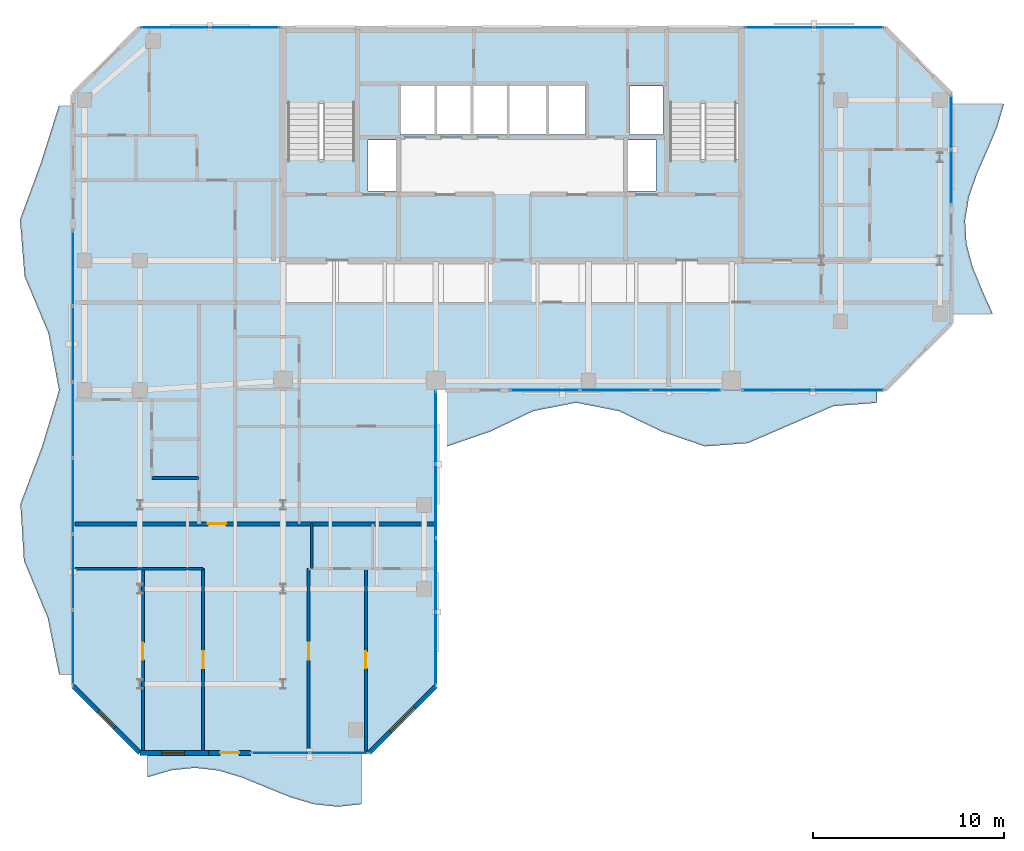
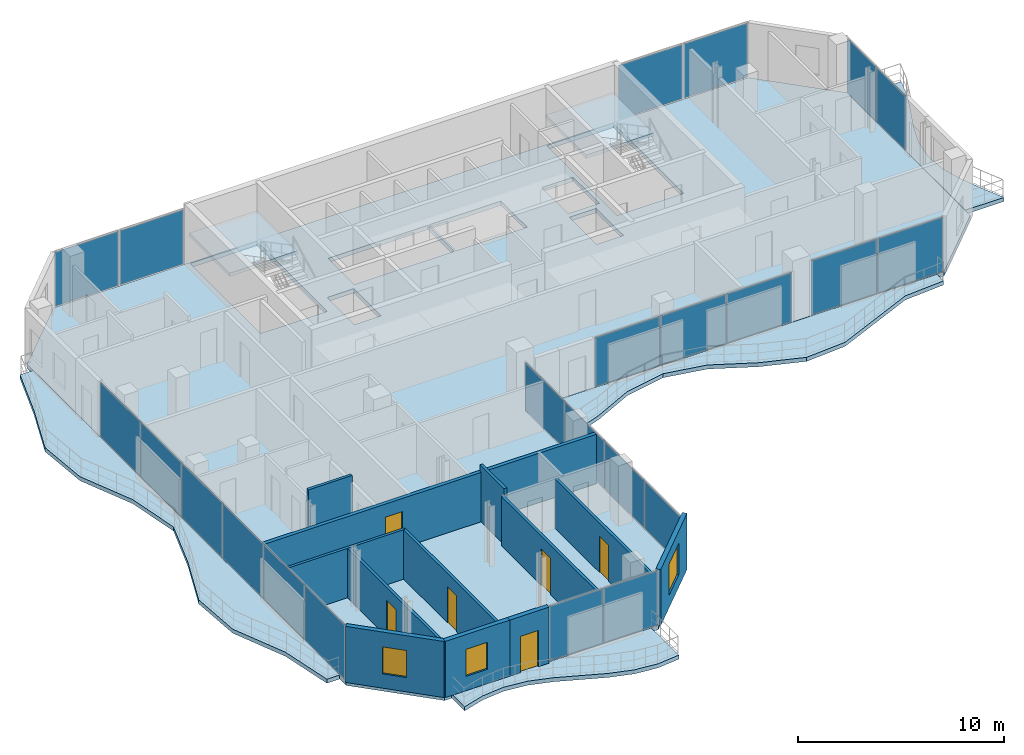
# One storey, part 17 of 23: 23 plates, 12 walls, 7 slabs, 6 doors, 3 windows, 9 openings, 10 elements without a shape of their own.
"""IFC4 building model written with IfcOpenShell, lengths in metres."""

from ifc_helpers import new_model, si_unit, direction, frame, frame_2d, origin, origin_2d, place, context, subcontext, project, spatial, polyline, rectangle, outline, extrude, material, layer, layer_set, type_object, element, fill, aggregate, save


model = new_model("IFC4")

# Units and contexts
model_context = context("Model", 3, precision=1e-05, world=origin(), true_north=direction((0.0, 1.0)))
body_context = subcontext(model_context, "Body", "Model", "MODEL_VIEW")
ifc_project = project(units=[si_unit("LENGTHUNIT", "METRE"), si_unit("AREAUNIT", "SQUARE_METRE"), si_unit("VOLUMEUNIT", "CUBIC_METRE"), si_unit("PLANEANGLEUNIT", "RADIAN"), si_unit("MASSUNIT", "GRAM", prefix="KILO")], contexts=[model_context])

# Site, building, storey
site_placement = place(None, origin())
site = spatial("IfcSite", under=ifc_project, at=site_placement, CompositionType="ELEMENT")
building_placement = place(site_placement, origin())
building = spatial("IfcBuilding", under=site, at=building_placement, Name="Catumbela Crestline Tower", CompositionType="ELEMENT")
storey_placement = place(building_placement, frame((0.0, 0.0, 165.0)))
storey = spatial("IfcBuildingStorey", under=building, at=storey_placement, Name="L42", CompositionType="ELEMENT", Elevation=165.0)

# Curtain wall, plates
ifc_material_1 = material(Name="Aluminium alloy AW-6060-T66", Category="aluminium")
ifc_layer_1 = layer(ifc_material_1, 0.18, Name="Aluminium alloy AW-6060-T66")
ifc_layer_set_1 = layer_set([ifc_layer_1], Name="Aluminium alloy AW-6060-T66")
curtain_wall_type = type_object("IfcCurtainWallType", Name="CWU-Z3", PredefinedType="USERDEFINED", material=ifc_layer_set_1)
curtain_wall_1_placement = place(storey_placement, origin())
curtain_wall_1 = element("IfcCurtainWall", 1, at=curtain_wall_1_placement, inside=storey, type_object=curtain_wall_type, Name="L42 Unitised Curtain Wall CW-L42-E0S2", ObjectType="UNITISED", PredefinedType="USERDEFINED")
ifc_material_2 = material(Name="Low-E laminated solar-control double glazing", Category="glass")
ifc_layer_2 = layer(ifc_material_2, 0.036, Name="Low-E laminated solar-control double glazing")
ifc_layer_set_2 = layer_set([ifc_layer_2], Name="Low-E laminated solar-control double glazing")
plate_type = type_object("IfcPlateType", Name="PNL-GLZ-Z3", PredefinedType="CURTAIN_PANEL", material=ifc_layer_set_2)
plate_1_placement = place(storey_placement, frame((15.8662, 5.0, 0.06), z_axis=(0.0, 0.0, 1.0), x_axis=(1.0, 0.0, 0.0)))
plate_1 = element("IfcPlate", 2, at=plate_1_placement, type_object=plate_type, Name="CWU-Z3 panel 1.1", PredefinedType="CURTAIN_PANEL", context=body_context, shape_type="SweptSolid", body=[
    extrude(rectangle(XDim=3.0025, YDim=0.034, at=origin_2d()), origin(), (0.0, 0.0, 1.0), 3.21),
])
plate_2_placement = place(storey_placement, frame((18.9338, 5.0, 0.06), z_axis=(0.0, 0.0, 1.0), x_axis=(1.0, 0.0, 0.0)))
plate_2 = element("IfcPlate", 3, at=plate_2_placement, type_object=plate_type, Name="CWU-Z3 panel 2.1", PredefinedType="CURTAIN_PANEL", context=body_context, shape_type="SweptSolid", body=[
    extrude(rectangle(XDim=3.0025, YDim=0.034, at=origin_2d()), origin(), (0.0, 0.0, 1.0), 3.21),
])
aggregate(curtain_wall_1, [plate_1, plate_2])

curtain_wall_2_placement = place(storey_placement, origin())
curtain_wall_2 = element("IfcCurtainWall", 4, at=curtain_wall_2_placement, inside=storey, type_object=curtain_wall_type, Name="L42 Unitised Curtain Wall CW-L42-E2S1", ObjectType="UNITISED", PredefinedType="USERDEFINED")
plate_3_placement = place(storey_placement, frame((24.0, 10.4538, 0.06), z_axis=(0.0, 0.0, 1.0), x_axis=(0.0, 1.0, 0.0)))
plate_3 = element("IfcPlate", 5, at=plate_3_placement, type_object=plate_type, Name="CWU-Z3 panel 1.1", PredefinedType="CURTAIN_PANEL", context=body_context, shape_type="SweptSolid", body=[
    extrude(rectangle(XDim=3.7775, YDim=0.034, at=origin_2d()), origin(), (0.0, 0.0, 1.0), 2.81),
])
plate_4_placement = place(storey_placement, frame((24.0, 14.3125, 0.06), z_axis=(0.0, 0.0, 1.0), x_axis=(0.0, 1.0, 0.0)))
plate_4 = element("IfcPlate", 6, at=plate_4_placement, type_object=plate_type, Name="CWU-Z3 panel 2.1", PredefinedType="CURTAIN_PANEL", context=body_context, shape_type="SweptSolid", body=[
    extrude(rectangle(XDim=3.81, YDim=0.034, at=origin_2d()), origin(), (0.0, 0.0, 1.0), 2.81),
])
plate_5_placement = place(storey_placement, frame((24.0, 18.1875, 0.06), z_axis=(0.0, 0.0, 1.0), x_axis=(0.0, 1.0, 0.0)))
plate_5 = element("IfcPlate", 7, at=plate_5_placement, type_object=plate_type, Name="CWU-Z3 panel 3.1", PredefinedType="CURTAIN_PANEL", context=body_context, shape_type="SweptSolid", body=[
    extrude(rectangle(XDim=3.81, YDim=0.034, at=origin_2d()), origin(), (0.0, 0.0, 1.0), 2.81),
])
plate_6_placement = place(storey_placement, frame((24.0, 22.0462, 0.06), z_axis=(0.0, 0.0, 1.0), x_axis=(0.0, 1.0, 0.0)))
plate_6 = element("IfcPlate", 8, at=plate_6_placement, type_object=plate_type, Name="CWU-Z3 panel 4.1", PredefinedType="CURTAIN_PANEL", context=body_context, shape_type="SweptSolid", body=[
    extrude(rectangle(XDim=3.7775, YDim=0.034, at=origin_2d()), origin(), (0.0, 0.0, 1.0), 2.81),
])
aggregate(curtain_wall_2, [plate_3, plate_4, plate_5, plate_6])

curtain_wall_3_placement = place(storey_placement, origin())
curtain_wall_3 = element("IfcCurtainWall", 9, at=curtain_wall_3_placement, inside=storey, type_object=curtain_wall_type, Name="L42 Unitised Curtain Wall CW-L42-E3S2", ObjectType="UNITISED", PredefinedType="USERDEFINED")
plate_7_placement = place(storey_placement, frame((29.7246, 24.0, 0.06), z_axis=(0.0, 0.0, 1.0), x_axis=(1.0, 0.0, 0.0)))
plate_7 = element("IfcPlate", 10, at=plate_7_placement, type_object=plate_type, Name="CWU-Z3 panel 1.1", PredefinedType="CURTAIN_PANEL", context=body_context, shape_type="SweptSolid", body=[
    extrude(rectangle(XDim=3.6192, YDim=0.034, at=origin_2d()), origin(), (0.0, 0.0, 1.0), 2.89),
])
plate_8_placement = place(storey_placement, frame((33.425, 24.0, 0.06), z_axis=(0.0, 0.0, 1.0), x_axis=(1.0, 0.0, 0.0)))
plate_8 = element("IfcPlate", 11, at=plate_8_placement, type_object=plate_type, Name="CWU-Z3 panel 2.1", PredefinedType="CURTAIN_PANEL", context=body_context, shape_type="SweptSolid", body=[
    extrude(rectangle(XDim=3.6517, YDim=0.034, at=origin_2d()), origin(), (0.0, 0.0, 1.0), 2.89),
])
plate_9_placement = place(storey_placement, frame((37.1254, 24.0, 0.06), z_axis=(0.0, 0.0, 1.0), x_axis=(1.0, 0.0, 0.0)))
plate_9 = element("IfcPlate", 12, at=plate_9_placement, type_object=plate_type, Name="CWU-Z3 panel 3.1", PredefinedType="CURTAIN_PANEL", context=body_context, shape_type="SweptSolid", body=[
    extrude(rectangle(XDim=3.6192, YDim=0.034, at=origin_2d()), origin(), (0.0, 0.0, 1.0), 2.89),
])
aggregate(curtain_wall_3, [plate_7, plate_8, plate_9])

curtain_wall_4_placement = place(storey_placement, origin())
curtain_wall_4 = element("IfcCurtainWall", 13, at=curtain_wall_4_placement, inside=storey, type_object=curtain_wall_type, Name="L42 Unitised Curtain Wall CW-L42-E3S3", ObjectType="UNITISED", PredefinedType="USERDEFINED")
plate_10_placement = place(storey_placement, frame((41.8912, 24.0, 0.06), z_axis=(0.0, 0.0, 1.0), x_axis=(1.0, 0.0, 0.0)))
plate_10 = element("IfcPlate", 14, at=plate_10_placement, type_object=plate_type, Name="CWU-Z3 panel 1.1", PredefinedType="CURTAIN_PANEL", context=body_context, shape_type="SweptSolid", body=[
    extrude(rectangle(XDim=3.6525, YDim=0.034, at=origin_2d()), origin(), (0.0, 0.0, 1.0), 3.21),
])
plate_11_placement = place(storey_placement, frame((45.6088, 24.0, 0.06), z_axis=(0.0, 0.0, 1.0), x_axis=(1.0, 0.0, 0.0)))
plate_11 = element("IfcPlate", 15, at=plate_11_placement, type_object=plate_type, Name="CWU-Z3 panel 2.1", PredefinedType="CURTAIN_PANEL", context=body_context, shape_type="SweptSolid", body=[
    extrude(rectangle(XDim=3.6525, YDim=0.034, at=origin_2d()), origin(), (0.0, 0.0, 1.0), 3.21),
])
aggregate(curtain_wall_4, [plate_10, plate_11])

curtain_wall_5_placement = place(storey_placement, origin())
curtain_wall_5 = element("IfcCurtainWall", 16, at=curtain_wall_5_placement, inside=storey, type_object=curtain_wall_type, Name="L42 Unitised Curtain Wall CW-L42-E5S2", ObjectType="UNITISED", PredefinedType="USERDEFINED")
plate_12_placement = place(storey_placement, frame((51.0, 35.1662, 0.06), z_axis=(0.0, 0.0, 1.0), x_axis=(0.0, 1.0, 0.0)))
plate_12 = element("IfcPlate", 17, at=plate_12_placement, type_object=plate_type, Name="CWU-Z3 panel 1.1", PredefinedType="CURTAIN_PANEL", context=body_context, shape_type="SweptSolid", body=[
    extrude(rectangle(XDim=2.8025, YDim=0.034, at=origin_2d()), origin(), (0.0, 0.0, 1.0), 3.21),
])
plate_13_placement = place(storey_placement, frame((51.0, 38.0338, 0.06), z_axis=(0.0, 0.0, 1.0), x_axis=(0.0, 1.0, 0.0)))
plate_13 = element("IfcPlate", 18, at=plate_13_placement, type_object=plate_type, Name="CWU-Z3 panel 2.1", PredefinedType="CURTAIN_PANEL", context=body_context, shape_type="SweptSolid", body=[
    extrude(rectangle(XDim=2.8025, YDim=0.034, at=origin_2d()), origin(), (0.0, 0.0, 1.0), 3.21),
])
aggregate(curtain_wall_5, [plate_12, plate_13])

curtain_wall_6_placement = place(storey_placement, origin())
curtain_wall_6 = element("IfcCurtainWall", 19, at=curtain_wall_6_placement, inside=storey, type_object=curtain_wall_type, Name="L42 Unitised Curtain Wall CW-L42-E7S1", ObjectType="UNITISED", PredefinedType="USERDEFINED")
plate_14_placement = place(storey_placement, frame((45.6438, 43.0, 0.06), z_axis=(0.0, 0.0, 1.0), x_axis=(-1.0, 0.0, 0.0)))
plate_14 = element("IfcPlate", 20, at=plate_14_placement, type_object=plate_type, Name="CWU-Z3 panel 1.1", PredefinedType="CURTAIN_PANEL", context=body_context, shape_type="SweptSolid", body=[
    extrude(rectangle(XDim=3.5825, YDim=0.034, at=origin_2d()), origin(), (0.0, 0.0, 1.0), 3.21),
])
plate_15_placement = place(storey_placement, frame((41.9963, 43.0, 0.06), z_axis=(0.0, 0.0, 1.0), x_axis=(-1.0, 0.0, 0.0)))
plate_15 = element("IfcPlate", 21, at=plate_15_placement, type_object=plate_type, Name="CWU-Z3 panel 2.1", PredefinedType="CURTAIN_PANEL", context=body_context, shape_type="SweptSolid", body=[
    extrude(rectangle(XDim=3.5825, YDim=0.034, at=origin_2d()), origin(), (0.0, 0.0, 1.0), 3.21),
])
aggregate(curtain_wall_6, [plate_14, plate_15])

curtain_wall_7_placement = place(storey_placement, origin())
curtain_wall_7 = element("IfcCurtainWall", 22, at=curtain_wall_7_placement, inside=storey, type_object=curtain_wall_type, Name="L42 Unitised Curtain Wall CW-L42-E7S2", ObjectType="UNITISED", PredefinedType="USERDEFINED")
plate_16_placement = place(storey_placement, frame((14.0038, 43.0, 0.06), z_axis=(0.0, 0.0, 1.0), x_axis=(-1.0, 0.0, 0.0)))
plate_16 = element("IfcPlate", 23, at=plate_16_placement, type_object=plate_type, Name="CWU-Z3 panel 1.1", PredefinedType="CURTAIN_PANEL", context=body_context, shape_type="SweptSolid", body=[
    extrude(rectangle(XDim=3.5825, YDim=0.034, at=origin_2d()), origin(), (0.0, 0.0, 1.0), 3.21),
])
plate_17_placement = place(storey_placement, frame((10.3562, 43.0, 0.06), z_axis=(0.0, 0.0, 1.0), x_axis=(-1.0, 0.0, 0.0)))
plate_17 = element("IfcPlate", 24, at=plate_17_placement, type_object=plate_type, Name="CWU-Z3 panel 2.1", PredefinedType="CURTAIN_PANEL", context=body_context, shape_type="SweptSolid", body=[
    extrude(rectangle(XDim=3.5825, YDim=0.034, at=origin_2d()), origin(), (0.0, 0.0, 1.0), 3.21),
])
aggregate(curtain_wall_7, [plate_16, plate_17])

curtain_wall_8_placement = place(storey_placement, origin())
curtain_wall_8 = element("IfcCurtainWall", 25, at=curtain_wall_8_placement, inside=storey, type_object=curtain_wall_type, Name="L42 Unitised Curtain Wall CW-L42-E9S2", ObjectType="UNITISED", PredefinedType="USERDEFINED")
plate_18_placement = place(storey_placement, frame((5.0, 30.3921, 0.06), z_axis=(0.0, 0.0, 1.0), x_axis=(0.0, -1.0, 0.0)))
plate_18 = element("IfcPlate", 26, at=plate_18_placement, type_object=plate_type, Name="CWU-Z3 panel 1.1", PredefinedType="CURTAIN_PANEL", context=body_context, shape_type="SweptSolid", body=[
    extrude(rectangle(XDim=3.8858, YDim=0.034, at=origin_2d()), origin(), (0.0, 0.0, 1.0), 3.21),
])
plate_19_placement = place(storey_placement, frame((5.0, 26.425, 0.06), z_axis=(0.0, 0.0, 1.0), x_axis=(0.0, -1.0, 0.0)))
plate_19 = element("IfcPlate", 27, at=plate_19_placement, type_object=plate_type, Name="CWU-Z3 panel 2.1", PredefinedType="CURTAIN_PANEL", context=body_context, shape_type="SweptSolid", body=[
    extrude(rectangle(XDim=3.9183, YDim=0.034, at=origin_2d()), origin(), (0.0, 0.0, 1.0), 3.21),
])
plate_20_placement = place(storey_placement, frame((5.0, 22.4417, 0.06), z_axis=(0.0, 0.0, 1.0), x_axis=(0.0, -1.0, 0.0)))
plate_20 = element("IfcPlate", 28, at=plate_20_placement, type_object=plate_type, Name="CWU-Z3 panel 3.1", PredefinedType="CURTAIN_PANEL", context=body_context, shape_type="SweptSolid", body=[
    extrude(rectangle(XDim=3.9183, YDim=0.034, at=origin_2d()), origin(), (0.0, 0.0, 1.0), 3.21),
])
plate_21_placement = place(storey_placement, frame((5.0, 18.4583, 0.06), z_axis=(0.0, 0.0, 1.0), x_axis=(0.0, -1.0, 0.0)))
plate_21 = element("IfcPlate", 29, at=plate_21_placement, type_object=plate_type, Name="CWU-Z3 panel 4.1", PredefinedType="CURTAIN_PANEL", context=body_context, shape_type="SweptSolid", body=[
    extrude(rectangle(XDim=3.9183, YDim=0.034, at=origin_2d()), origin(), (0.0, 0.0, 1.0), 3.21),
])
plate_22_placement = place(storey_placement, frame((5.0, 14.475, 0.06), z_axis=(0.0, 0.0, 1.0), x_axis=(0.0, -1.0, 0.0)))
plate_22 = element("IfcPlate", 30, at=plate_22_placement, type_object=plate_type, Name="CWU-Z3 panel 5.1", PredefinedType="CURTAIN_PANEL", context=body_context, shape_type="SweptSolid", body=[
    extrude(rectangle(XDim=3.9183, YDim=0.034, at=origin_2d()), origin(), (0.0, 0.0, 1.0), 3.21),
])
plate_23_placement = place(storey_placement, frame((5.0, 10.5079, 0.06), z_axis=(0.0, 0.0, 1.0), x_axis=(0.0, -1.0, 0.0)))
plate_23 = element("IfcPlate", 31, at=plate_23_placement, type_object=plate_type, Name="CWU-Z3 panel 6.1", PredefinedType="CURTAIN_PANEL", context=body_context, shape_type="SweptSolid", body=[
    extrude(rectangle(XDim=3.8858, YDim=0.034, at=origin_2d()), origin(), (0.0, 0.0, 1.0), 3.21),
])
aggregate(curtain_wall_8, [plate_18, plate_19, plate_20, plate_21, plate_22, plate_23])

# Stair, slab
ifc_material_3 = material(Name="Concrete C45/55", Category="concrete")
stair_type = type_object("IfcStairType", Name="ST-DLG", PredefinedType="HALF_TURN_STAIR", material=ifc_material_3)
stair_1_placement = place(storey_placement, origin())
stair_1 = element("IfcStair", 32, at=stair_1_placement, inside=storey, type_object=stair_type, Name="L42 West Core Pressurised Exit Stair ST-01", PredefinedType="HALF_TURN_STAIR")
ifc_layer_3 = layer(ifc_material_3, 0.2, Name="Concrete C45/55")
ifc_layer_set_3 = layer_set([ifc_layer_3], Name="Concrete C45/55")
slab_type_1 = type_object("IfcSlabType", Name="SL-LND", PredefinedType="LANDING", material=ifc_layer_set_3)
slab_1_placement = place(storey_placement, frame((0.0, 0.0, 1.6)))
slab_1 = element("IfcSlab", 33, at=slab_1_placement, type_object=slab_type_1, Name="ST-01 landing 1", PredefinedType="LANDING", context=body_context, shape_type="SweptSolid", body=[
    extrude(outline(polyline([(19.91, 39.02), (19.91, 42.96), (16.09, 42.96), (16.09, 39.02), (19.91, 39.02)])), origin(), (0.0, 0.0, 1.0), 0.2),
])
aggregate(stair_1, [slab_1])

stair_2_placement = place(storey_placement, origin())
stair_2 = element("IfcStair", 34, at=stair_2_placement, inside=storey, type_object=stair_type, Name="L42 East Core Pressurised Exit Stair ST-02", PredefinedType="HALF_TURN_STAIR")
slab_2_placement = place(storey_placement, frame((0.0, 0.0, 1.6)))
slab_2 = element("IfcSlab", 35, at=slab_2_placement, type_object=slab_type_1, Name="ST-02 landing 1", PredefinedType="LANDING", context=body_context, shape_type="SweptSolid", body=[
    extrude(outline(polyline([(39.91, 39.02), (39.91, 42.96), (36.09, 42.96), (36.09, 39.02), (39.91, 39.02)])), origin(), (0.0, 0.0, 1.0), 0.2),
])
aggregate(stair_2, [slab_2])

# Slabs
ifc_layer_4 = layer(ifc_material_3, 0.26, Name="Concrete C45/55")
ifc_layer_set_4 = layer_set([ifc_layer_4], Name="Concrete C45/55")
slab_type_2 = type_object("IfcSlabType", Name="SL-260", PredefinedType="FLOOR", material=ifc_layer_set_4)
slab_3_placement = place(storey_placement, frame((0.0, 0.0, -0.26)))
element("IfcSlab", 36, at=slab_3_placement, inside=storey, type_object=slab_type_2, Name="L42 Structural Floor Slab", PredefinedType="FLOOR", context=body_context, shape_type="SweptSolid", body=[
    extrude(outline(polyline([(8.5, 5.0), (20.5, 5.0), (24.0, 8.5), (24.0, 24.0), (47.5, 24.0), (51.0, 27.5), (51.0, 39.5), (47.5, 43.0), (8.5, 43.0), (5.0, 39.5), (5.0, 8.5), (8.5, 5.0)]), holes=[polyline([(16.13, 36.08), (19.87, 36.08), (19.87, 42.92), (16.13, 42.92), (16.13, 36.08)]), polyline([(36.13, 36.08), (39.87, 36.08), (39.87, 42.92), (36.13, 42.92), (36.13, 36.08)]), polyline([(22.15, 37.4), (27.75, 37.4), (27.75, 39.95), (22.15, 39.95), (22.15, 37.4)]), polyline([(27.85, 37.4), (31.85, 37.4), (31.85, 39.95), (27.85, 39.95), (27.85, 37.4)]), polyline([(20.45, 34.45), (21.95, 34.45), (21.95, 37.1), (20.45, 37.1), (20.45, 34.45)]), polyline([(34.05, 34.45), (35.55, 34.45), (35.55, 37.1), (34.05, 37.1), (34.05, 34.45)]), polyline([(34.15, 37.4), (35.9, 37.4), (35.9, 39.95), (34.15, 39.95), (34.15, 37.4)])]), origin(), (0.0, 0.0, 1.0), 0.26),
])
ifc_layer_5 = layer(ifc_material_3, 0.24, Name="Concrete C45/55")
ifc_layer_set_5 = layer_set([ifc_layer_5], Name="Concrete C45/55")
slab_type_3 = type_object("IfcSlabType", Name="SB-240W", PredefinedType="USERDEFINED", material=ifc_layer_set_5)
slab_4_placement = place(storey_placement, frame((0.0, 0.0, -0.24)))
element("IfcSlab", 37, at=slab_4_placement, inside=storey, type_object=slab_type_3, Name="L42 Cantilevered Wave Balcony Slab SPINE-S", ObjectType="BALCONY", PredefinedType="USERDEFINED", context=body_context, shape_type="SweptSolid", body=[
    extrude(outline(polyline([(24.6, 21.0587), (26.85, 21.8292), (29.1, 22.9053), (31.35, 23.35), (33.6, 22.9053), (35.85, 21.8292), (38.1, 21.0587), (40.35, 21.2292), (42.6, 22.2), (44.85, 23.1708), (47.1, 23.3413), (47.1, 23.99), (24.6, 23.99), (24.6, 21.0587)])), origin(), (0.0, 0.0, 1.0), 0.24),
])
slab_5_placement = place(storey_placement, frame((0.0, 0.0, -0.24)))
element("IfcSlab", 38, at=slab_5_placement, inside=storey, type_object=slab_type_3, Name="L42 Cantilevered Wave Balcony Slab SPINE-E", ObjectType="BALCONY", PredefinedType="USERDEFINED", context=body_context, shape_type="SweptSolid", body=[
    extrude(outline(polyline([(51.01, 28.0), (53.1771, 28.0), (52.6329, 29.2222), (52.1316, 30.4444), (51.8017, 31.6667), (51.7278, 32.8889), (51.9288, 34.1111), (52.3533, 35.3333), (52.8922, 36.5556), (53.4076, 37.7778), (53.7671, 39.0), (51.01, 39.0), (51.01, 28.0)])), origin(), (0.0, 0.0, 1.0), 0.24),
])
slab_6_placement = place(storey_placement, frame((0.0, 0.0, -0.24)))
element("IfcSlab", 39, at=slab_6_placement, inside=storey, type_object=slab_type_3, Name="L42 Cantilevered Wave Balcony Slab WING-S", ObjectType="BALCONY", PredefinedType="USERDEFINED", context=body_context, shape_type="SweptSolid", body=[
    extrude(outline(polyline([(8.9, 3.7274), (10.1444, 4.0921), (11.3889, 4.2199), (12.6333, 4.0768), (13.8778, 3.7007), (15.1222, 3.1917), (16.3667, 2.6849), (17.6111, 2.3149), (18.8556, 2.18), (20.1, 2.3161), (20.1, 4.99), (8.9, 4.99), (8.9, 3.7274)])), origin(), (0.0, 0.0, 1.0), 0.24),
])
slab_7_placement = place(storey_placement, frame((0.0, 0.0, -0.24)))
element("IfcSlab", 40, at=slab_7_placement, inside=storey, type_object=slab_type_3, Name="L42 Cantilevered Wave Balcony Slab WEST", ObjectType="BALCONY", PredefinedType="USERDEFINED", context=body_context, shape_type="SweptSolid", body=[
    extrude(outline(polyline([(4.99, 38.9), (4.256, 38.9), (3.32, 35.92), (2.2201, 32.94), (2.4588, 29.96), (3.71, 26.98), (4.2646, 24.0), (3.3648, 21.02), (2.2399, 18.04), (2.4265, 15.06), (3.6697, 12.08), (4.2712, 9.1), (4.99, 9.1), (4.99, 38.9)])), origin(), (0.0, 0.0, 1.0), 0.24),
])

# Wall, opening, door
ifc_material_4 = material(Name="Angolan grey-ochre granite", Category="masonry")
ifc_layer_6 = layer(ifc_material_4, 0.25, Name="Angolan grey-ochre granite")
ifc_layer_set_6 = layer_set([ifc_layer_6], Name="Angolan grey-ochre granite")
wall_type_1 = type_object("IfcWallType", Name="WE-250", PredefinedType="STANDARD", material=ifc_layer_set_6)
wall_1_placement = place(storey_placement, frame((12.1, 5.0, 0.0), z_axis=(0.0, 0.0, 1.0), x_axis=(1.0, 0.0, 0.0)))
wall_1 = element("IfcWall", 41, at=wall_1_placement, inside=storey, type_object=wall_type_1, Name="L42 Exterior Threshold Portal Wall DR-L42-WBAL-3", PredefinedType="STANDARD", context=body_context, shape_type="SweptSolid", body=[
    extrude(rectangle(XDim=2.2, YDim=0.25, at=frame_2d((1.1, 0.0))), origin(), (0.0, 0.0, 1.0), 3.33),
])
opening_1_placement = place(wall_1_placement, frame((0.6, 0.0, 0.0)))
opening_1 = element("IfcOpeningElement", 42, at=opening_1_placement, cuts=wall_1, Name="Opening DB-L42-3", PredefinedType="OPENING", context=body_context, shape_type="SweptSolid", body=[
    extrude(rectangle(XDim=1.0, YDim=2.15, at=frame_2d((0.5, 1.075))), frame((0.0, 0.135, 0.0), z_axis=(0.0, -1.0, 0.0), x_axis=(1.0, 0.0, 0.0)), (0.0, 0.0, 1.0), 0.27),
])
door_type_1 = type_object("IfcDoorType", Name="DB-1000", OperationType="NOTDEFINED", PredefinedType="DOOR", material=ifc_material_1)
door_1_placement = place(opening_1_placement, origin())
door_1 = element("IfcDoor", 43, at=door_1_placement, inside=storey, type_object=door_type_1, Name="L42 Wave Balcony Terrace Door 3", OperationType="SINGLE_SWING_RIGHT", OverallHeight=2.15, OverallWidth=1.0, PredefinedType="DOOR", context=body_context, shape_type="SweptSolid", body=[
    extrude(rectangle(XDim=1.0, YDim=2.15, at=frame_2d((0.5, 1.075))), frame((0.0, 0.025, 0.0), z_axis=(0.0, -1.0, 0.0), x_axis=(1.0, 0.0, 0.0)), (0.0, 0.0, 1.0), 0.05),
])
fill(opening_1, door_1)

# Wall, opening, window
wall_2_placement = place(storey_placement, frame((8.5, 5.0, 0.0), z_axis=(0.0, 0.0, 1.0), x_axis=(1.0, 0.0, 0.0)))
wall_2 = element("IfcWall", 44, at=wall_2_placement, inside=storey, type_object=wall_type_1, Name="L42 Granite Punched Window Wall 0-1", PredefinedType="STANDARD", context=body_context, shape_type="SweptSolid", body=[
    extrude(rectangle(XDim=3.6, YDim=0.25, at=frame_2d((1.8, 0.0))), origin(), (0.0, 0.0, 1.0), 3.33),
])
opening_2_placement = place(wall_2_placement, frame((1.135, 0.0, 0.85)))
opening_2 = element("IfcOpeningElement", 45, at=opening_2_placement, cuts=wall_2, Name="Opening WN-02", PredefinedType="OPENING", context=body_context, shape_type="SweptSolid", body=[
    extrude(rectangle(XDim=1.2, YDim=1.6, at=frame_2d((0.6, 0.8))), frame((0.0, 0.135, 0.0), z_axis=(0.0, -1.0, 0.0), x_axis=(1.0, 0.0, 0.0)), (0.0, 0.0, 1.0), 0.27),
])
window_type_1 = type_object("IfcWindowType", Name="WO-1200", PartitioningType="SINGLE_PANEL", PredefinedType="WINDOW", material=ifc_material_2)
window_1_placement = place(opening_2_placement, origin())
window_1 = element("IfcWindow", 46, at=window_1_placement, inside=storey, type_object=window_type_1, Name="L42 Facade Vision Window 244", OverallHeight=1.6, OverallWidth=1.2, PartitioningType="SINGLE_PANEL", PredefinedType="WINDOW", context=body_context, shape_type="SweptSolid", body=[
    extrude(rectangle(XDim=1.2, YDim=1.6, at=frame_2d((0.6, 0.8))), frame((0.0, 0.03, 0.0), z_axis=(0.0, -1.0, 0.0), x_axis=(1.0, 0.0, 0.0)), (0.0, 0.0, 1.0), 0.06),
])
fill(opening_2, window_1)

wall_3_placement = place(storey_placement, frame((20.5, 5.0, 0.0), z_axis=(0.0, 0.0, 1.0), x_axis=(0.707106781187, 0.707106781187, 0.0)))
wall_3 = element("IfcWall", 47, at=wall_3_placement, inside=storey, type_object=wall_type_1, Name="L42 Granite Punched Window Wall 1-1", PredefinedType="STANDARD", context=body_context, shape_type="SweptSolid", body=[
    extrude(rectangle(XDim=4.9497, YDim=0.25, at=frame_2d((2.4748, 0.0))), origin(), (0.0, 0.0, 1.0), 3.33),
])
opening_3_placement = place(wall_3_placement, frame((1.5749, 0.0, 0.75)))
opening_3 = element("IfcOpeningElement", 48, at=opening_3_placement, cuts=wall_3, Name="Opening WN-01", PredefinedType="OPENING", context=body_context, shape_type="SweptSolid", body=[
    extrude(rectangle(XDim=1.8, YDim=1.85, at=frame_2d((0.9, 0.925))), frame((0.0, 0.135, 0.0), z_axis=(0.0, -1.0, 0.0), x_axis=(1.0, 0.0, 0.0)), (0.0, 0.0, 1.0), 0.27),
])
window_type_2 = type_object("IfcWindowType", Name="WF-1800", PartitioningType="SINGLE_PANEL", PredefinedType="WINDOW", material=ifc_material_2)
window_2_placement = place(opening_3_placement, origin())
window_2 = element("IfcWindow", 49, at=window_2_placement, inside=storey, type_object=window_type_2, Name="L42 Facade Vision Window 245", OverallHeight=1.85, OverallWidth=1.8, PartitioningType="SINGLE_PANEL", PredefinedType="WINDOW", context=body_context, shape_type="SweptSolid", body=[
    extrude(rectangle(XDim=1.8, YDim=1.85, at=frame_2d((0.9, 0.925))), frame((0.0, 0.03, 0.0), z_axis=(0.0, -1.0, 0.0), x_axis=(1.0, 0.0, 0.0)), (0.0, 0.0, 1.0), 0.06),
])
fill(opening_3, window_2)

wall_4_placement = place(storey_placement, frame((5.0, 8.5, 0.0), z_axis=(0.0, 0.0, 1.0), x_axis=(0.707106781187, -0.707106781187, 0.0)))
wall_4 = element("IfcWall", 50, at=wall_4_placement, inside=storey, type_object=wall_type_1, Name="L42 Granite Punched Window Wall 10-1", PredefinedType="STANDARD", context=body_context, shape_type="SweptSolid", body=[
    extrude(rectangle(XDim=4.9497, YDim=0.25, at=frame_2d((2.4748, 0.0))), origin(), (0.0, 0.0, 1.0), 3.33),
])
opening_4_placement = place(wall_4_placement, frame((1.8748, 0.0, 0.85)))
opening_4 = element("IfcOpeningElement", 51, at=opening_4_placement, cuts=wall_4, Name="Opening WN-02", PredefinedType="OPENING", context=body_context, shape_type="SweptSolid", body=[
    extrude(rectangle(XDim=1.2, YDim=1.6, at=frame_2d((0.6, 0.8))), frame((0.0, 0.135, 0.0), z_axis=(0.0, -1.0, 0.0), x_axis=(1.0, 0.0, 0.0)), (0.0, 0.0, 1.0), 0.27),
])
window_3_placement = place(opening_4_placement, origin())
window_3 = element("IfcWindow", 52, at=window_3_placement, inside=storey, type_object=window_type_1, Name="L42 Facade Vision Window 252", OverallHeight=1.6, OverallWidth=1.2, PartitioningType="SINGLE_PANEL", PredefinedType="WINDOW", context=body_context, shape_type="SweptSolid", body=[
    extrude(rectangle(XDim=1.2, YDim=1.6, at=frame_2d((0.6, 0.8))), frame((0.0, 0.03, 0.0), z_axis=(0.0, -1.0, 0.0), x_axis=(1.0, 0.0, 0.0)), (0.0, 0.0, 1.0), 0.06),
])
fill(opening_4, window_3)

# Walls
ifc_material_5 = material(Name="Acoustic gypsum and mineral-wool partition")
ifc_layer_7 = layer(ifc_material_5, 0.15, Name="Acoustic gypsum and mineral-wool partition")
ifc_layer_set_7 = layer_set([ifc_layer_7], Name="Acoustic gypsum and mineral-wool partition")
wall_type_2 = type_object("IfcWallType", Name="WP-150", PredefinedType="PARTITIONING", material=ifc_layer_set_7)
wall_5_placement = place(storey_placement, frame((9.13, 19.396, 0.0), z_axis=(0.0, 0.0, 1.0), x_axis=(1.0, 0.0, 0.0)))
element("IfcWall", 53, at=wall_5_placement, inside=storey, type_object=wall_type_2, Name="L42 Interior Partition PW-L42-WL1-KBS", PredefinedType="PARTITIONING", context=body_context, shape_type="SweptSolid", body=[
    extrude(rectangle(XDim=2.47, YDim=0.15, at=frame_2d((1.235, 0.0))), origin(), (0.0, 0.0, 1.0), 3.33),
])
wall_6_placement = place(storey_placement, frame((17.5, 14.65, 0.0), z_axis=(0.0, 0.0, 1.0), x_axis=(0.0, 1.0, 0.0)))
element("IfcWall", 54, at=wall_6_placement, inside=storey, type_object=wall_type_2, Name="L42 Interior Partition PW-L42-SH1-KBW", PredefinedType="PARTITIONING", context=body_context, shape_type="SweptSolid", body=[
    extrude(rectangle(XDim=2.35, YDim=0.15, at=frame_2d((1.175, 0.0))), origin(), (0.0, 0.0, 1.0), 3.33),
])
wall_7_placement = place(storey_placement, frame((5.1, 14.65, 0.0), z_axis=(0.0, 0.0, 1.0), x_axis=(1.0, 0.0, 0.0)))
element("IfcWall", 55, at=wall_7_placement, inside=storey, type_object=wall_type_2, Name="L42 Interior Partition PW-L42-SH1-BDLH", PredefinedType="PARTITIONING", context=body_context, shape_type="SweptSolid", body=[
    extrude(rectangle(XDim=6.71, YDim=0.15, at=frame_2d((3.355, 0.0))), origin(), (0.0, 0.0, 1.0), 2.93),
])

# Wall, opening, door
wall_8_placement = place(storey_placement, frame((8.66, 5.1, 0.0), z_axis=(0.0, 0.0, 1.0), x_axis=(0.0, 1.0, 0.0)))
wall_8 = element("IfcWall", 56, at=wall_8_placement, inside=storey, type_object=wall_type_2, Name="L42 Interior Partition PW-L42-SH1-BDL", PredefinedType="PARTITIONING", context=body_context, shape_type="SweptSolid", body=[
    extrude(rectangle(XDim=9.55, YDim=0.15, at=frame_2d((4.775, 0.0))), origin(), (0.0, 0.0, 1.0), 2.93),
])
opening_5_placement = place(wall_8_placement, frame((4.7789, 0.0, 0.0)))
opening_5 = element("IfcOpeningElement", 57, at=opening_5_placement, cuts=wall_8, Name="Opening DI-090", PredefinedType="OPENING", context=body_context, shape_type="SweptSolid", body=[
    extrude(rectangle(XDim=0.9, YDim=2.15, at=frame_2d((0.45, 1.075))), frame((0.0, 0.085, 0.0), z_axis=(0.0, -1.0, 0.0), x_axis=(1.0, 0.0, 0.0)), (0.0, 0.0, 1.0), 0.17),
])
door_type_2 = type_object("IfcDoorType", Name="DI-090", OperationType="NOTDEFINED", PredefinedType="DOOR", material=ifc_material_1)
door_2_placement = place(opening_5_placement, origin())
door_2 = element("IfcDoor", 58, at=door_2_placement, inside=storey, type_object=door_type_2, Name="L42 Interior Door DR-L42-SH1-BD1", OperationType="SINGLE_SWING_LEFT", OverallHeight=2.15, OverallWidth=0.9, PredefinedType="DOOR", context=body_context, shape_type="SweptSolid", body=[
    extrude(rectangle(XDim=0.9, YDim=2.15, at=frame_2d((0.45, 1.075))), frame((0.0, 0.025, 0.0), z_axis=(0.0, -1.0, 0.0), x_axis=(1.0, 0.0, 0.0)), (0.0, 0.0, 1.0), 0.05),
])
fill(opening_5, door_2)

wall_9_placement = place(storey_placement, frame((20.34, 5.1, 0.0), z_axis=(0.0, 0.0, 1.0), x_axis=(0.0, 1.0, 0.0)))
wall_9 = element("IfcWall", 59, at=wall_9_placement, inside=storey, type_object=wall_type_2, Name="L42 Interior Partition PW-L42-SH1-BDR", PredefinedType="PARTITIONING", context=body_context, shape_type="SweptSolid", body=[
    extrude(rectangle(XDim=9.55, YDim=0.15, at=frame_2d((4.775, 0.0))), origin(), (0.0, 0.0, 1.0), 2.93),
])
opening_6_placement = place(wall_9_placement, frame((4.325, 0.0, 0.0)))
opening_6 = element("IfcOpeningElement", 60, at=opening_6_placement, cuts=wall_9, Name="Opening DI-090", PredefinedType="OPENING", context=body_context, shape_type="SweptSolid", body=[
    extrude(rectangle(XDim=0.9, YDim=2.15, at=frame_2d((0.45, 1.075))), frame((0.0, 0.085, 0.0), z_axis=(0.0, -1.0, 0.0), x_axis=(1.0, 0.0, 0.0)), (0.0, 0.0, 1.0), 0.17),
])
door_3_placement = place(opening_6_placement, origin())
door_3 = element("IfcDoor", 61, at=door_3_placement, inside=storey, type_object=door_type_2, Name="L42 Interior Door DR-L42-SH1-BD2", OperationType="SINGLE_SWING_RIGHT", OverallHeight=2.15, OverallWidth=0.9, PredefinedType="DOOR", context=body_context, shape_type="SweptSolid", body=[
    extrude(rectangle(XDim=0.9, YDim=2.15, at=frame_2d((0.45, 1.075))), frame((0.0, 0.025, 0.0), z_axis=(0.0, -1.0, 0.0), x_axis=(1.0, 0.0, 0.0)), (0.0, 0.0, 1.0), 0.05),
])
fill(opening_6, door_3)

wall_10_placement = place(storey_placement, frame((17.34, 5.1, 0.0), z_axis=(0.0, 0.0, 1.0), x_axis=(0.0, 1.0, 0.0)))
wall_10 = element("IfcWall", 62, at=wall_10_placement, inside=storey, type_object=wall_type_2, Name="L42 Interior Partition PW-L42-SH1-STW", PredefinedType="PARTITIONING", context=body_context, shape_type="SweptSolid", body=[
    extrude(rectangle(XDim=9.55, YDim=0.15, at=frame_2d((4.775, 0.0))), origin(), (0.0, 0.0, 1.0), 2.93),
])
opening_7_placement = place(wall_10_placement, frame((4.7789, 0.0, 0.0)))
opening_7 = element("IfcOpeningElement", 63, at=opening_7_placement, cuts=wall_10, Name="Opening DI-090", PredefinedType="OPENING", context=body_context, shape_type="SweptSolid", body=[
    extrude(rectangle(XDim=0.9, YDim=2.15, at=frame_2d((0.45, 1.075))), frame((0.0, 0.085, 0.0), z_axis=(0.0, -1.0, 0.0), x_axis=(1.0, 0.0, 0.0)), (0.0, 0.0, 1.0), 0.17),
])
door_4_placement = place(opening_7_placement, origin())
door_4 = element("IfcDoor", 64, at=door_4_placement, inside=storey, type_object=door_type_2, Name="L42 Interior Door DR-L42-SH1-STDY", OperationType="SINGLE_SWING_RIGHT", OverallHeight=2.15, OverallWidth=0.9, PredefinedType="DOOR", context=body_context, shape_type="SweptSolid", body=[
    extrude(rectangle(XDim=0.9, YDim=2.15, at=frame_2d((0.45, 1.075))), frame((0.0, 0.025, 0.0), z_axis=(0.0, -1.0, 0.0), x_axis=(1.0, 0.0, 0.0)), (0.0, 0.0, 1.0), 0.05),
])
fill(opening_7, door_4)

wall_11_placement = place(storey_placement, frame((11.81, 5.1, 0.0), z_axis=(0.0, 0.0, 1.0), x_axis=(0.0, 1.0, 0.0)))
wall_11 = element("IfcWall", 65, at=wall_11_placement, inside=storey, type_object=wall_type_2, Name="L42 Interior Partition PW-L42-SH1-DNW", PredefinedType="PARTITIONING", context=body_context, shape_type="SweptSolid", body=[
    extrude(rectangle(XDim=9.55, YDim=0.15, at=frame_2d((4.775, 0.0))), origin(), (0.0, 0.0, 1.0), 2.93),
])
opening_8_placement = place(wall_11_placement, frame((4.325, 0.0, 0.0)))
opening_8 = element("IfcOpeningElement", 66, at=opening_8_placement, cuts=wall_11, Name="Opening DI-090", PredefinedType="OPENING", context=body_context, shape_type="SweptSolid", body=[
    extrude(rectangle(XDim=0.9, YDim=2.15, at=frame_2d((0.45, 1.075))), frame((0.0, 0.085, 0.0), z_axis=(0.0, -1.0, 0.0), x_axis=(1.0, 0.0, 0.0)), (0.0, 0.0, 1.0), 0.17),
])
door_5_placement = place(opening_8_placement, origin())
door_5 = element("IfcDoor", 67, at=door_5_placement, inside=storey, type_object=door_type_2, Name="L42 Interior Door DR-L42-SH1-FDIN", OperationType="SINGLE_SWING_LEFT", OverallHeight=2.15, OverallWidth=0.9, PredefinedType="DOOR", context=body_context, shape_type="SweptSolid", body=[
    extrude(rectangle(XDim=0.9, YDim=2.15, at=frame_2d((0.45, 1.075))), frame((0.0, 0.025, 0.0), z_axis=(0.0, -1.0, 0.0), x_axis=(1.0, 0.0, 0.0)), (0.0, 0.0, 1.0), 0.05),
])
fill(opening_8, door_5)

ifc_layer_8 = layer(ifc_material_5, 0.2, Name="Acoustic gypsum and mineral-wool partition")
ifc_layer_set_8 = layer_set([ifc_layer_8], Name="Acoustic gypsum and mineral-wool partition")
wall_type_3 = type_object("IfcWallType", Name="WY-200", PredefinedType="PARTITIONING", material=ifc_layer_set_8)
wall_12_placement = place(storey_placement, frame((5.1, 17.0, 0.0), z_axis=(0.0, 0.0, 1.0), x_axis=(1.0, 0.0, 0.0)))
wall_12 = element("IfcWall", 68, at=wall_12_placement, inside=storey, type_object=wall_type_3, Name="L42 Interior Partition PW-L42-SH-WL", PredefinedType="PARTITIONING", context=body_context, shape_type="SweptSolid", body=[
    extrude(rectangle(XDim=18.8, YDim=0.2, at=frame_2d((9.4, 0.0))), origin(), (0.0, 0.0, 1.0), 2.93),
])
opening_9_placement = place(wall_12_placement, frame((6.962, 0.0, 0.0)))
opening_9 = element("IfcOpeningElement", 69, at=opening_9_placement, cuts=wall_12, Name="Opening DF6-095", PredefinedType="OPENING", context=body_context, shape_type="SweptSolid", body=[
    extrude(rectangle(XDim=0.95, YDim=2.15, at=frame_2d((0.475, 1.075))), frame((0.0, 0.11, 0.0), z_axis=(0.0, -1.0, 0.0), x_axis=(1.0, 0.0, 0.0)), (0.0, 0.0, 1.0), 0.22),
])
door_type_3 = type_object("IfcDoorType", Name="DF6-095", OperationType="NOTDEFINED", PredefinedType="DOOR", material=ifc_material_1)
door_6_placement = place(opening_9_placement, origin())
door_6 = element("IfcDoor", 70, at=door_6_placement, inside=storey, type_object=door_type_3, Name="L42 Interior Door DR-L42-SH1-ENT", OperationType="SINGLE_SWING_LEFT", OverallHeight=2.15, OverallWidth=0.95, PredefinedType="DOOR", context=body_context, shape_type="SweptSolid", body=[
    extrude(rectangle(XDim=0.95, YDim=2.15, at=frame_2d((0.475, 1.075))), frame((0.0, 0.025, 0.0), z_axis=(0.0, -1.0, 0.0), x_axis=(1.0, 0.0, 0.0)), (0.0, 0.0, 1.0), 0.05),
])
fill(opening_9, door_6)

save(model, "model.ifc")
